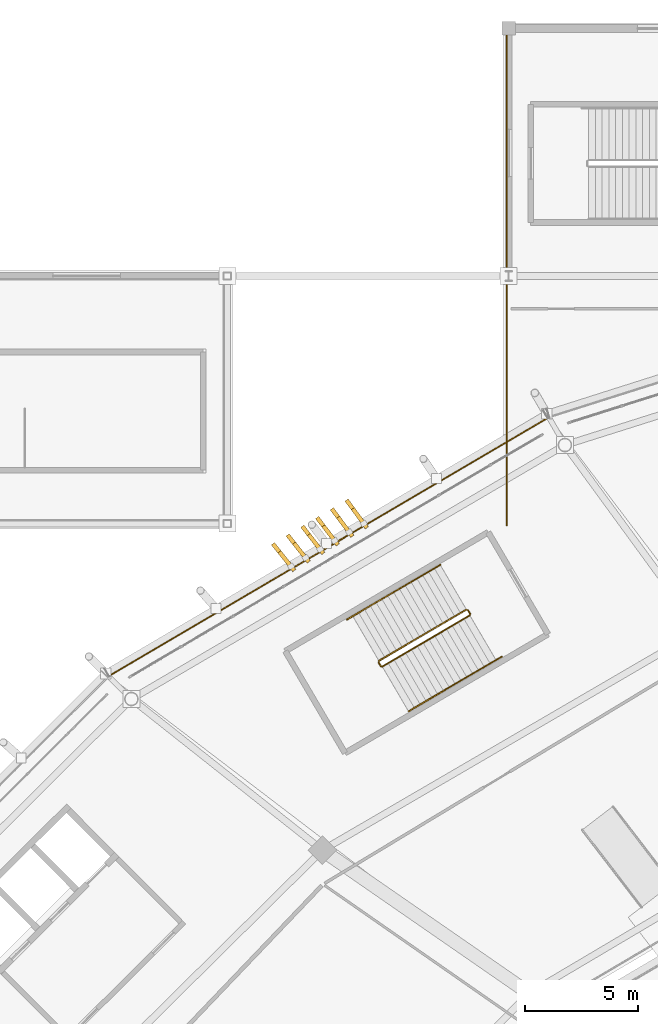
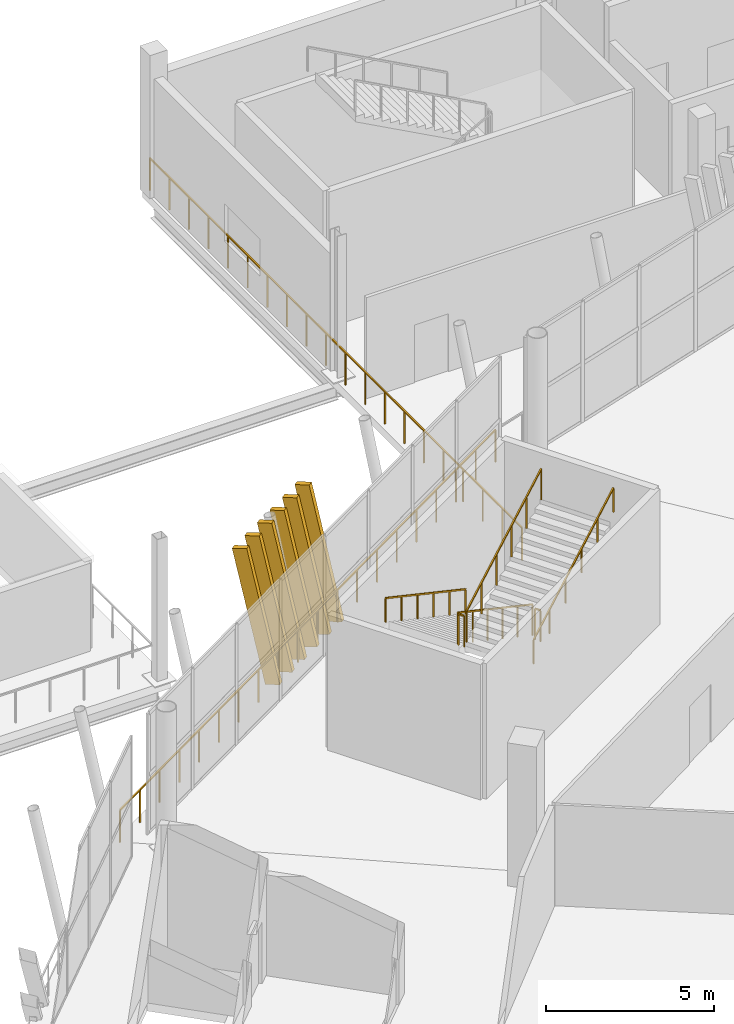
# One storey, part 172 of 178: 8 railings, 6 shading devices.
"""IFC4 building model written with IfcOpenShell, lengths in metres."""

from ifc_helpers import new_model, si_unit, direction, frame, origin, origin_2d, place, context, subcontext, project, spatial, rectangle, extrude, material, material_profile, profile_set, type_object, element, save


model = new_model("IFC4")

# Units and contexts
model_context = context("Model", 3, precision=1e-05, world=origin(), true_north=direction((0.0, 1.0)))
body_context = subcontext(model_context, "Body", "Model", "MODEL_VIEW")
ifc_project = project(units=[si_unit("LENGTHUNIT", "METRE"), si_unit("AREAUNIT", "SQUARE_METRE"), si_unit("VOLUMEUNIT", "CUBIC_METRE"), si_unit("PLANEANGLEUNIT", "RADIAN"), si_unit("MASSUNIT", "GRAM", prefix="KILO")], contexts=[model_context])

# Site, building, storey
site_placement = place(None, origin())
site = spatial("IfcSite", under=ifc_project, at=site_placement, CompositionType="ELEMENT")
building_placement = place(site_placement, origin())
building = spatial("IfcBuilding", under=site, at=building_placement, Name="Zlatoyarsky Gate Stadium", CompositionType="ELEMENT")
storey_placement = place(building_placement, frame((0.0, 0.0, 5.39990234375)))
storey = spatial("IfcBuildingStorey", under=building, at=storey_placement, Name="L01", CompositionType="ELEMENT", Elevation=5.39990234375)

# Railings
ifc_material_1 = material(Name="Powder-coated steel tubular guardrail", Category="steel")
railing_type_1 = type_object("IfcRailingType", Name="CONCOURSE SLAB EDGE GUARDRAIL 1200", PredefinedType="GUARDRAIL", material=ifc_material_1)
railing_1_placement = place(storey_placement, frame((63.785888671875, 142.724853515625, 0.0)))
element("IfcRailing", 1, at=railing_1_placement, inside=storey, type_object=railing_type_1, Name="L01 outer slab edge guardrail 08", PredefinedType="GUARDRAIL", context=body_context, shape_type="SweptSolid", body=[
    extrude(rectangle(XDim=0.048095703125, YDim=0.048095703125, at=origin_2d()), frame((0.0, 0.0, 1.17578125), z_axis=(-0.861814713094, -0.507223225311, 0.0), x_axis=(0.507223225311, -0.861814713094, 0.0)), (0.0, 0.0, 1.0), 22.692626953125),
    extrude(rectangle(XDim=0.0419921875, YDim=0.0419921875, at=origin_2d()), origin(), (0.0, 0.0, 1.0), 1.15185546875),
    extrude(rectangle(XDim=0.0419921875, YDim=0.0419921875, at=origin_2d()), frame((-1.029296875, -0.605712890625, 0.0)), (0.0, 0.0, 1.0), 1.15185546875),
    extrude(rectangle(XDim=0.0419921875, YDim=0.0419921875, at=origin_2d()), frame((-2.05859375, -1.211669921875, 0.0)), (0.0, 0.0, 1.0), 1.15185546875),
    extrude(rectangle(XDim=0.0419921875, YDim=0.0419921875, at=origin_2d()), frame((-3.087890625, -1.8173828125, 0.0)), (0.0, 0.0, 1.0), 1.15185546875),
    extrude(rectangle(XDim=0.0419921875, YDim=0.0419921875, at=origin_2d()), frame((-4.1171875, -2.423095703125, 0.0)), (0.0, 0.0, 1.0), 1.15185546875),
    extrude(rectangle(XDim=0.0419921875, YDim=0.0419921875, at=origin_2d()), frame((-5.146484375, -3.029052734375, 0.0)), (0.0, 0.0, 1.0), 1.15185546875),
    extrude(rectangle(XDim=0.0419921875, YDim=0.0419921875, at=origin_2d()), frame((-6.17578125, -3.634765625, 0.0)), (0.0, 0.0, 1.0), 1.15185546875),
    extrude(rectangle(XDim=0.0419921875, YDim=0.0419921875, at=origin_2d()), frame((-7.205078125, -4.24072265625, 0.0)), (0.0, 0.0, 1.0), 1.15185546875),
    extrude(rectangle(XDim=0.0419921875, YDim=0.0419921875, at=origin_2d()), frame((-8.234375, -4.846435546875, 0.0)), (0.0, 0.0, 1.0), 1.15185546875),
    extrude(rectangle(XDim=0.0419921875, YDim=0.0419921875, at=origin_2d()), frame((-9.263671875, -5.4521484375, 0.0)), (0.0, 0.0, 1.0), 1.15185546875),
    extrude(rectangle(XDim=0.0419921875, YDim=0.0419921875, at=origin_2d()), frame((-10.293212890625, -6.05810546875, 0.0)), (0.0, 0.0, 1.0), 1.15185546875),
    extrude(rectangle(XDim=0.0419921875, YDim=0.0419921875, at=origin_2d()), frame((-11.322509765625, -6.663818359375, 0.0)), (0.0, 0.0, 1.0), 1.15185546875),
    extrude(rectangle(XDim=0.0419921875, YDim=0.0419921875, at=origin_2d()), frame((-12.351806640625, -7.26953125, 0.0)), (0.0, 0.0, 1.0), 1.15185546875),
    extrude(rectangle(XDim=0.0419921875, YDim=0.0419921875, at=origin_2d()), frame((-13.381103515625, -7.87548828125, 0.0)), (0.0, 0.0, 1.0), 1.15185546875),
    extrude(rectangle(XDim=0.0419921875, YDim=0.0419921875, at=origin_2d()), frame((-14.410400390625, -8.481201171875, 0.0)), (0.0, 0.0, 1.0), 1.15185546875),
    extrude(rectangle(XDim=0.0419921875, YDim=0.0419921875, at=origin_2d()), frame((-15.439697265625, -9.087158203125, 0.0)), (0.0, 0.0, 1.0), 1.15185546875),
    extrude(rectangle(XDim=0.0419921875, YDim=0.0419921875, at=origin_2d()), frame((-16.468994140625, -9.69287109375, 0.0)), (0.0, 0.0, 1.0), 1.15185546875),
    extrude(rectangle(XDim=0.0419921875, YDim=0.0419921875, at=origin_2d()), frame((-17.498291015625, -10.298583984375, 0.0)), (0.0, 0.0, 1.0), 1.15185546875),
    extrude(rectangle(XDim=0.0419921875, YDim=0.0419921875, at=origin_2d()), frame((-18.527587890625, -10.904541015625, 0.0)), (0.0, 0.0, 1.0), 1.15185546875),
    extrude(rectangle(XDim=0.0419921875, YDim=0.0419921875, at=origin_2d()), frame((-19.556884765625, -11.51025390625, 0.0)), (0.0, 0.0, 1.0), 1.15185546875),
])
railing_2_placement = place(storey_placement, frame((61.919921875, 137.919921875, 0.0)))
element("IfcRailing", 2, at=railing_2_placement, inside=storey, type_object=railing_type_1, Name="V2_NORTH L01 W slab edge guardrail", PredefinedType="GUARDRAIL", context=body_context, shape_type="SweptSolid", body=[
    extrude(rectangle(XDim=0.048095703125, YDim=0.048095703125, at=origin_2d()), frame((0.0, 0.0, 1.17578125), z_axis=(0.0, 1.0, 0.0), x_axis=(-1.0, 0.0, 0.0)), (0.0, 0.0, 1.0), 22.16015625),
    extrude(rectangle(XDim=0.0419921875, YDim=0.0419921875, at=origin_2d()), origin(), (0.0, 0.0, 1.0), 1.15185546875),
    extrude(rectangle(XDim=0.0419921875, YDim=0.0419921875, at=origin_2d()), frame((0.0, 1.166259765625, 0.0)), (0.0, 0.0, 1.0), 1.15185546875),
    extrude(rectangle(XDim=0.0419921875, YDim=0.0419921875, at=origin_2d()), frame((0.0, 2.332763671875, 0.0)), (0.0, 0.0, 1.0), 1.15185546875),
    extrude(rectangle(XDim=0.0419921875, YDim=0.0419921875, at=origin_2d()), frame((0.0, 3.4990234375, 0.0)), (0.0, 0.0, 1.0), 1.15185546875),
    extrude(rectangle(XDim=0.0419921875, YDim=0.0419921875, at=origin_2d()), frame((0.0, 4.665283203125, 0.0)), (0.0, 0.0, 1.0), 1.15185546875),
    extrude(rectangle(XDim=0.0419921875, YDim=0.0419921875, at=origin_2d()), frame((0.0, 5.83154296875, 0.0)), (0.0, 0.0, 1.0), 1.15185546875),
    extrude(rectangle(XDim=0.0419921875, YDim=0.0419921875, at=origin_2d()), frame((0.0, 6.998046875, 0.0)), (0.0, 0.0, 1.0), 1.15185546875),
    extrude(rectangle(XDim=0.0419921875, YDim=0.0419921875, at=origin_2d()), frame((0.0, 8.164306640625, 0.0)), (0.0, 0.0, 1.0), 1.15185546875),
    extrude(rectangle(XDim=0.0419921875, YDim=0.0419921875, at=origin_2d()), frame((0.0, 9.33056640625, 0.0)), (0.0, 0.0, 1.0), 1.15185546875),
    extrude(rectangle(XDim=0.0419921875, YDim=0.0419921875, at=origin_2d()), frame((0.0, 10.496826171875, 0.0)), (0.0, 0.0, 1.0), 1.15185546875),
    extrude(rectangle(XDim=0.0419921875, YDim=0.0419921875, at=origin_2d()), frame((0.0, 11.663330078125, 0.0)), (0.0, 0.0, 1.0), 1.15185546875),
    extrude(rectangle(XDim=0.0419921875, YDim=0.0419921875, at=origin_2d()), frame((0.0, 12.82958984375, 0.0)), (0.0, 0.0, 1.0), 1.15185546875),
    extrude(rectangle(XDim=0.0419921875, YDim=0.0419921875, at=origin_2d()), frame((0.0, 13.995849609375, 0.0)), (0.0, 0.0, 1.0), 1.15185546875),
    extrude(rectangle(XDim=0.0419921875, YDim=0.0419921875, at=origin_2d()), frame((0.0, 15.162109375, 0.0)), (0.0, 0.0, 1.0), 1.15185546875),
    extrude(rectangle(XDim=0.0419921875, YDim=0.0419921875, at=origin_2d()), frame((0.0, 16.32861328125, 0.0)), (0.0, 0.0, 1.0), 1.15185546875),
    extrude(rectangle(XDim=0.0419921875, YDim=0.0419921875, at=origin_2d()), frame((0.0, 17.494873046875, 0.0)), (0.0, 0.0, 1.0), 1.15185546875),
    extrude(rectangle(XDim=0.0419921875, YDim=0.0419921875, at=origin_2d()), frame((0.0, 18.6611328125, 0.0)), (0.0, 0.0, 1.0), 1.15185546875),
    extrude(rectangle(XDim=0.0419921875, YDim=0.0419921875, at=origin_2d()), frame((0.0, 19.827392578125, 0.0)), (0.0, 0.0, 1.0), 1.15185546875),
    extrude(rectangle(XDim=0.0419921875, YDim=0.0419921875, at=origin_2d()), frame((0.0, 20.993896484375, 0.0)), (0.0, 0.0, 1.0), 1.15185546875),
    extrude(rectangle(XDim=0.0419921875, YDim=0.0419921875, at=origin_2d()), frame((0.0, 22.16015625, 0.0)), (0.0, 0.0, 1.0), 1.15185546875),
])
ifc_material_2 = material(Name="Powder-coated steel stair guardrail", Category="steel")
railing_type_2 = type_object("IfcRailingType", Name="PAINTED STEEL STAIR WELL GUARDRAIL 1150", PredefinedType="GUARDRAIL", material=ifc_material_2)
railing_3_placement = place(storey_placement, frame((60.1220703125, 134.1767578125, 0.16259765625)))
element("IfcRailing", 3, at=railing_3_placement, inside=storey, type_object=railing_type_2, Name="ST-05 L01 stair guard 1", PredefinedType="GUARDRAIL", context=body_context, shape_type="SweptSolid", body=[
    extrude(rectangle(XDim=0.048095703125, YDim=0.048095703125, at=origin_2d()), frame((0.0, 0.0, 1.1259765625), z_axis=(-0.758690244494, -0.444461582492, 0.476280394934), x_axis=(0.505475820858, -0.862840770089, 0.0)), (0.0, 0.0, 1.0), 5.11767578125),
    extrude(rectangle(XDim=0.0419921875, YDim=0.0419921875, at=origin_2d()), origin(), (0.0, 0.0, 1.0), 1.101806640625),
    extrude(rectangle(XDim=0.0419921875, YDim=0.0419921875, at=origin_2d()), frame((-0.776611328125, -0.454833984375, 0.487548828125)), (0.0, 0.0, 1.0), 1.101806640625),
    extrude(rectangle(XDim=0.0419921875, YDim=0.0419921875, at=origin_2d()), frame((-1.55322265625, -0.909912109375, 0.97509765625)), (0.0, 0.0, 1.0), 1.101806640625),
    extrude(rectangle(XDim=0.0419921875, YDim=0.0419921875, at=origin_2d()), frame((-2.32958984375, -1.36474609375, 1.46240234375)), (0.0, 0.0, 1.0), 1.101806640625),
    extrude(rectangle(XDim=0.0419921875, YDim=0.0419921875, at=origin_2d()), frame((-3.106201171875, -1.81982421875, 1.949951171875)), (0.0, 0.0, 1.0), 1.101806640625),
    extrude(rectangle(XDim=0.0419921875, YDim=0.0419921875, at=origin_2d()), frame((-3.8828125, -2.274658203125, 2.4375)), (0.0, 0.0, 1.0), 1.101806640625),
])
railing_4_placement = place(storey_placement, frame((56.221435546875, 131.833740234375, 2.60009765625)))
element("IfcRailing", 4, at=railing_4_placement, inside=storey, type_object=railing_type_2, Name="ST-05 L01 stair guard 2", PredefinedType="GUARDRAIL", context=body_context, shape_type="SweptSolid", body=[
    extrude(rectangle(XDim=0.048095703125, YDim=0.048095703125, at=origin_2d()), frame((0.0, 0.0, 1.1259765625), z_axis=(0.505312229679, -0.862936585467, 0.0), x_axis=(0.862936585467, 0.505312229679, 0.0)), (0.0, 0.0, 1.0), 0.199951171875),
    extrude(rectangle(XDim=0.0419921875, YDim=0.0419921875, at=origin_2d()), origin(), (0.0, 0.0, 1.0), 1.101806640625),
    extrude(rectangle(XDim=0.0419921875, YDim=0.0419921875, at=origin_2d()), frame((0.10107421875, -0.172607421875, 0.0)), (0.0, 0.0, 1.0), 1.101806640625),
])
railing_5_placement = place(storey_placement, frame((56.390869140625, 131.643310546875, 2.7626953125)))
element("IfcRailing", 5, at=railing_5_placement, inside=storey, type_object=railing_type_2, Name="ST-05 L01 stair guard 3", PredefinedType="GUARDRAIL", context=body_context, shape_type="SweptSolid", body=[
    extrude(rectangle(XDim=0.048095703125, YDim=0.048095703125, at=origin_2d()), frame((0.0, 0.0, 1.1259765625), z_axis=(0.758690244494, 0.444461582492, 0.476280394934), x_axis=(-0.505475820858, 0.862840770089, 0.0)), (0.0, 0.0, 1.0), 5.11767578125),
    extrude(rectangle(XDim=0.0419921875, YDim=0.0419921875, at=origin_2d()), origin(), (0.0, 0.0, 1.0), 1.101806640625),
    extrude(rectangle(XDim=0.0419921875, YDim=0.0419921875, at=origin_2d()), frame((0.776611328125, 0.454833984375, 0.487548828125)), (0.0, 0.0, 1.0), 1.101806640625),
    extrude(rectangle(XDim=0.0419921875, YDim=0.0419921875, at=origin_2d()), frame((1.55322265625, 0.909912109375, 0.97509765625)), (0.0, 0.0, 1.0), 1.101806640625),
    extrude(rectangle(XDim=0.0419921875, YDim=0.0419921875, at=origin_2d()), frame((2.32958984375, 1.36474609375, 1.46240234375)), (0.0, 0.0, 1.0), 1.101806640625),
    extrude(rectangle(XDim=0.0419921875, YDim=0.0419921875, at=origin_2d()), frame((3.106201171875, 1.81982421875, 1.949951171875)), (0.0, 0.0, 1.0), 1.101806640625),
    extrude(rectangle(XDim=0.0419921875, YDim=0.0419921875, at=origin_2d()), frame((3.8828125, 2.274658203125, 2.4375)), (0.0, 0.0, 1.0), 1.101806640625),
])
railing_6_placement = place(storey_placement, frame((60.190673828125, 134.158935546875, 0.0)))
element("IfcRailing", 6, at=railing_6_placement, inside=storey, type_object=railing_type_2, Name="ST-05 L01 stair guard 4", PredefinedType="GUARDRAIL", context=body_context, shape_type="SweptSolid", body=[
    extrude(rectangle(XDim=0.048095703125, YDim=0.048095703125, at=origin_2d()), frame((0.0, 0.0, 1.1259765625), z_axis=(0.505312229679, -0.862936585467, 0.0), x_axis=(0.862936585467, 0.505312229679, 0.0)), (0.0, 0.0, 1.0), 0.199951171875),
    extrude(rectangle(XDim=0.0419921875, YDim=0.0419921875, at=origin_2d()), origin(), (0.0, 0.0, 1.0), 1.101806640625),
    extrude(rectangle(XDim=0.0419921875, YDim=0.0419921875, at=origin_2d()), frame((0.10107421875, -0.172607421875, 0.0)), (0.0, 0.0, 1.0), 1.101806640625),
])

# Shading devices
ifc_material_3 = material(Name="Precast concrete C40/50 stone-toned architectural rib", Category="masonry")
ifc_material_profile = material_profile(ifc_material_3, rectangle(XDim=0.179931640625, YDim=0.47998046875, at=origin_2d()), Name="RIB 180X480")
ifc_profile_set = profile_set([ifc_material_profile], Name="Precast concrete C40/50 stone-toned architectural rib")
shading_device_type = type_object("IfcShadingDeviceType", Name="PRECAST RIBBED BOWL LOUVRE FIN 180X480", PredefinedType="JALOUSIE", material=ifc_profile_set)
for number, where, z_axis, x_axis, name in (
    (7, (55.562744140625, 137.999755859375, -0.010009765625), (-0.130456010156, 0.17787605753, 0.975367283423), (-0.806375662804, -0.591403661164, 0.0), "Leaning bowl louvre fin L01-08-1"),
    (8, (54.91650390625, 137.619140625, -0.010009765625), (-0.131982167362, 0.176756379883, 0.975365515932), (-0.801271376225, -0.598301079426, 0.0), "Leaning bowl louvre fin L01-08-2"),
    (9, (54.270263671875, 137.23876953125, -0.010009765625), (-0.133510226202, 0.17553745442, 0.975377681514), (-0.795939856582, -0.605375705412, 0.0), "Leaning bowl louvre fin L01-08-3"),
    (10, (53.623779296875, 136.858154296875, -0.010009765625), (-0.134985458423, 0.174417697502, 0.975375513745), (-0.790828162514, -0.612038248294, 0.0), "Leaning bowl louvre fin L01-08-4"),
    (11, (52.9775390625, 136.477783203125, -0.010009765625), (-0.136512554698, 0.173197441741, 0.975380422494), (-0.785372702654, -0.619023196598, 0.0), "Leaning bowl louvre fin L01-08-5"),
    (12, (52.331298828125, 136.09716796875, -0.010009765625), (-0.138086632207, 0.172074056789, 0.975357678488), (-0.779922977613, -0.625875505985, 0.0), "Leaning bowl louvre fin L01-08-6"),
):
    element("IfcShadingDevice", number, at=place(storey_placement, frame(where, z_axis=z_axis, x_axis=x_axis)), inside=storey, type_object=shading_device_type, Name=name, PredefinedType="JALOUSIE", context=body_context, shape_type="SweptSolid", body=[
        extrude(rectangle(XDim=0.179931640625, YDim=0.47998046875, at=origin_2d()), origin(), (0.0, 0.0, 1.0), 4.79833984375),
    ])

# Railings
ifc_material_4 = material(Name="Brushed stainless steel 316 handrail", Category="steel")
railing_type_3 = type_object("IfcRailingType", Name="STAINLESS STEEL TUBULAR HANDRAIL 900", PredefinedType="HANDRAIL", material=ifc_material_4)
railing_7_placement = place(storey_placement, frame((58.959716796875, 136.161376953125, 0.16650390625)))
element("IfcRailing", 13, at=railing_7_placement, inside=storey, type_object=railing_type_3, Name="ST-05 L01 stair handrail 1", PredefinedType="HANDRAIL", context=body_context, shape_type="SweptSolid", body=[
    extrude(rectangle(XDim=0.048095703125, YDim=0.048095703125, at=origin_2d()), frame((0.0, 0.0, 0.8759765625), z_axis=(-0.758699709167, -0.444441951648, 0.476283637054), x_axis=(0.505454504659, -0.86285325735, 0.0)), (0.0, 0.0, 1.0), 5.459228515625),
    extrude(rectangle(XDim=0.0419921875, YDim=0.0419921875, at=origin_2d()), origin(), (0.0, 0.0, 1.0), 0.851806640625),
    extrude(rectangle(XDim=0.0419921875, YDim=0.0419921875, at=origin_2d()), frame((-0.828369140625, -0.4853515625, 0.52001953125)), (0.0, 0.0, 1.0), 0.851806640625),
    extrude(rectangle(XDim=0.0419921875, YDim=0.0419921875, at=origin_2d()), frame((-1.65673828125, -0.970458984375, 1.0400390625)), (0.0, 0.0, 1.0), 0.851806640625),
    extrude(rectangle(XDim=0.0419921875, YDim=0.0419921875, at=origin_2d()), frame((-2.485107421875, -1.455810546875, 1.56005859375)), (0.0, 0.0, 1.0), 0.851806640625),
    extrude(rectangle(XDim=0.0419921875, YDim=0.0419921875, at=origin_2d()), frame((-3.3134765625, -1.94091796875, 2.080078125)), (0.0, 0.0, 1.0), 0.851806640625),
    extrude(rectangle(XDim=0.0419921875, YDim=0.0419921875, at=origin_2d()), frame((-4.141845703125, -2.42626953125, 2.60009765625)), (0.0, 0.0, 1.0), 0.851806640625),
])
railing_8_placement = place(storey_placement, frame((57.553466796875, 129.65869140625, 2.7666015625)))
element("IfcRailing", 14, at=railing_8_placement, inside=storey, type_object=railing_type_3, Name="ST-05 L01 stair handrail 2", PredefinedType="HANDRAIL", context=body_context, shape_type="SweptSolid", body=[
    extrude(rectangle(XDim=0.048095703125, YDim=0.048095703125, at=origin_2d()), frame((0.0, 0.0, 0.8759765625), z_axis=(0.758699709167, 0.444441951648, 0.476283637054), x_axis=(-0.505454504659, 0.86285325735, 0.0)), (0.0, 0.0, 1.0), 5.459228515625),
    extrude(rectangle(XDim=0.0419921875, YDim=0.0419921875, at=origin_2d()), origin(), (0.0, 0.0, 1.0), 0.851806640625),
    extrude(rectangle(XDim=0.0419921875, YDim=0.0419921875, at=origin_2d()), frame((0.828369140625, 0.4853515625, 0.52001953125)), (0.0, 0.0, 1.0), 0.851806640625),
    extrude(rectangle(XDim=0.0419921875, YDim=0.0419921875, at=origin_2d()), frame((1.65673828125, 0.970458984375, 1.0400390625)), (0.0, 0.0, 1.0), 0.851806640625),
    extrude(rectangle(XDim=0.0419921875, YDim=0.0419921875, at=origin_2d()), frame((2.485107421875, 1.455810546875, 1.56005859375)), (0.0, 0.0, 1.0), 0.851806640625),
    extrude(rectangle(XDim=0.0419921875, YDim=0.0419921875, at=origin_2d()), frame((3.3134765625, 1.94091796875, 2.080078125)), (0.0, 0.0, 1.0), 0.851806640625),
    extrude(rectangle(XDim=0.0419921875, YDim=0.0419921875, at=origin_2d()), frame((4.141845703125, 2.42626953125, 2.60009765625)), (0.0, 0.0, 1.0), 0.851806640625),
])

save(model, "model.ifc")
